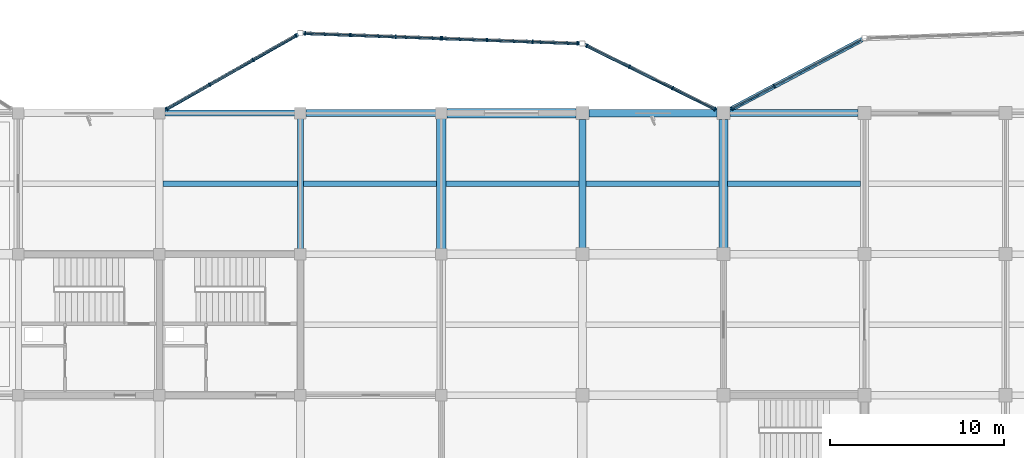
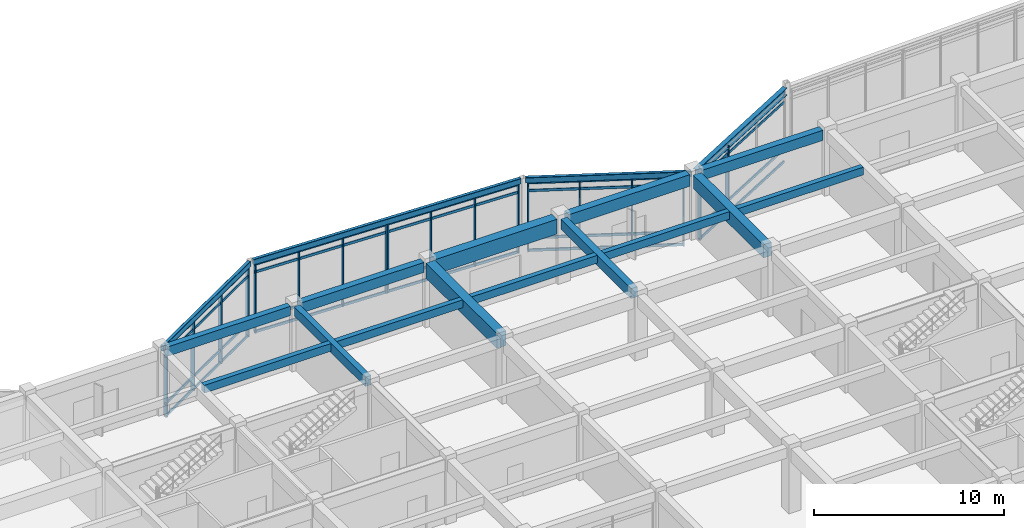
# One storey, part 47 of 89: 37 members, 18 beams, 5 elements without a shape of their own.
"""IFC4 building model written with IfcOpenShell, lengths in metres."""

import ifcopenshell
import ifcopenshell.guid

model = None  # the IFC model being written
_history = None  # IfcOwnerHistory: only IFC2X3 demands one
_inside = {}  # id of a spatial element -> (the spatial element, [elements in it])
_under = {}  # id of a project, library or spatial element -> (it, [spatial elements below it])
_declared = {}  # id of a project -> (the project, [libraries it declares])
_typed = {}  # id of a type object -> (the type object, [elements of that type])
_made_of = {}  # id of a material, layer set ... -> (it, [elements and type objects made of it])


def new_model(schema):
    """Start an empty IFC model of exactly this schema.

    Asked for "IFC4X3", IfcOpenShell would pick the latest addendum, in which some entities
    have other attributes; the version numbers below select the first issue.
    IFC2X3 requires an IfcOwnerHistory on every rooted entity: one is made here for all.
    """
    global model, _history
    if schema == "IFC4X3":
        model = ifcopenshell.file(schema_version=(4, 3, 0, 0))
    else:
        model = ifcopenshell.file(schema=schema)
    _inside.clear()
    _under.clear()
    _declared.clear()
    _typed.clear()
    _made_of.clear()
    _history = None
    if model.schema == "IFC2X3":
        org = make("IfcOrganization", Name="unknown")
        user = make(
            "IfcPersonAndOrganization",
            ThePerson=make("IfcPerson", FamilyName="unknown"),
            TheOrganization=org,
        )
        app = make(
            "IfcApplication",
            ApplicationDeveloper=org,
            Version="unknown",
            ApplicationFullName="unknown",
            ApplicationIdentifier="unknown",
        )
        _history = make(
            "IfcOwnerHistory",
            OwningUser=user,
            OwningApplication=app,
            ChangeAction="ADDED",
            CreationDate=0,
        )
    return model


def make(cls, **values):
    """One entity of the class cls with the attributes given. An attribute that is None is left unset."""
    return model.create_entity(
        cls, **{name: value for name, value in values.items() if value is not None}
    )


def rooted(cls, **values):
    """An entity with a GlobalId (a new one), such as an element, a storey or a relation."""
    return make(cls, GlobalId=ifcopenshell.guid.new(), OwnerHistory=_history, **values)


def si_unit(unit_type, name, prefix=None):
    """IfcSIUnit, for example si_unit("LENGTHUNIT", "METRE", prefix="MILLI")."""
    return make("IfcSIUnit", UnitType=unit_type, Prefix=prefix, Name=name)


def assignment(units):
    """IfcUnitAssignment: the units of a project."""
    return None if units is None else make("IfcUnitAssignment", Units=units)


def point(xyz):
    """IfcCartesianPoint."""
    return None if xyz is None else make("IfcCartesianPoint", Coordinates=xyz)


def direction(xyz):
    """IfcDirection."""
    return None if xyz is None else make("IfcDirection", DirectionRatios=xyz)


def frame(location, z_axis=None, x_axis=None):
    """IfcAxis2Placement3D, a coordinate frame: its origin and axes. An axis left out is left unset."""
    return make(
        "IfcAxis2Placement3D",
        Location=point(location),
        Axis=direction(z_axis),
        RefDirection=direction(x_axis),
    )


def frame_2d(location, x_axis=None):
    """IfcAxis2Placement2D, a coordinate frame in the plane: its origin and x axis."""
    return make(
        "IfcAxis2Placement2D", Location=point(location), RefDirection=direction(x_axis)
    )


def origin():
    """The frame at (0, 0, 0) with its axes left unset."""
    return frame((0.0, 0.0, 0.0))


def origin_2d():
    """The frame at (0, 0) in the plane with its x axis left unset."""
    return frame_2d((0.0, 0.0))


def place(relative_to, where):
    """IfcLocalPlacement: puts the frame where relative to a parent placement (None: the world)."""
    return make(
        "IfcLocalPlacement", PlacementRelTo=relative_to, RelativePlacement=where
    )


def context(
    kind, dimensions, precision=None, world=None, true_north=None, identifier=None
):
    """IfcGeometricRepresentationContext, for example the 3D "Model" context."""
    return make(
        "IfcGeometricRepresentationContext",
        ContextIdentifier=identifier,
        ContextType=kind,
        CoordinateSpaceDimension=dimensions,
        Precision=precision,
        WorldCoordinateSystem=world,
        TrueNorth=true_north,
    )


def subcontext(parent, identifier, kind, view, scale=None):
    """IfcGeometricRepresentationSubContext, for example "Body" below "Model"."""
    return make(
        "IfcGeometricRepresentationSubContext",
        ContextIdentifier=identifier,
        ContextType=kind,
        ParentContext=parent,
        TargetScale=scale,
        TargetView=view,
    )


def project(units=None, contexts=None):
    """IfcProject with its units and contexts."""
    return rooted(
        "IfcProject",
        Name="project",
        RepresentationContexts=contexts,
        UnitsInContext=assignment(units),
    )


def spatial(cls, under=None, at=None, **own):
    """A site, building, storey or space (cls), placed at a placement, below another one or the project."""
    s = rooted(cls, ObjectPlacement=at, **own)
    if under is not None:
        _under.setdefault(under.id(), (under, []))[1].append(s)
    return s


def profile(cls, at=None, kind="AREA", **sizes):
    """A parametric profile (cls). Its sizes go by their IFC names, for example OverallWidth=200.0."""
    return make(cls, ProfileType=kind, Position=at, **sizes)


def rectangle(**sizes):
    """IfcRectangleProfileDef."""
    return profile("IfcRectangleProfileDef", **sizes)


def hollow_rectangle(**sizes):
    """IfcRectangleHollowProfileDef."""
    return profile("IfcRectangleHollowProfileDef", **sizes)


def i_section(**sizes):
    """IfcIShapeProfileDef."""
    return profile("IfcIShapeProfileDef", **sizes)


def extrude(swept, where, along, depth):
    """IfcExtrudedAreaSolid: the profile swept, set in the frame where, extruded along a direction by depth."""
    return make(
        "IfcExtrudedAreaSolid",
        SweptArea=swept,
        Position=where,
        ExtrudedDirection=direction(along),
        Depth=depth,
    )


def shape(context_of_items, identifier, shape_type, items):
    """IfcShapeRepresentation: the items that make up one representation, for example the "Body"."""
    return make(
        "IfcShapeRepresentation",
        ContextOfItems=context_of_items,
        RepresentationIdentifier=identifier,
        RepresentationType=shape_type,
        Items=items,
    )


def material(Name=None, Category=None):
    """IfcMaterial."""
    return make("IfcMaterial", Name=Name, Category=Category)


def layer(
    of_material, thickness, ventilated=None, Name=None, Category=None, Priority=None
):
    """IfcMaterialLayer: one layer of a wall or slab, of a material (None: an air gap)."""
    return make(
        "IfcMaterialLayer",
        Material=of_material,
        LayerThickness=thickness,
        IsVentilated=ventilated,
        Name=Name,
        Category=Category,
        Priority=Priority,
    )


def layer_set(layers, Name=None):
    """IfcMaterialLayerSet."""
    return make("IfcMaterialLayerSet", MaterialLayers=layers, LayerSetName=Name)


def material_profile(
    of_material, cross_section, Name=None, Category=None, Priority=None
):
    """IfcMaterialProfile: a cross section and its material."""
    return make(
        "IfcMaterialProfile",
        Name=Name,
        Material=of_material,
        Profile=cross_section,
        Priority=Priority,
        Category=Category,
    )


def profile_set(profiles, Name=None, composite=None):
    """IfcMaterialProfileSet."""
    return make(
        "IfcMaterialProfileSet",
        Name=Name,
        MaterialProfiles=profiles,
        CompositeProfile=composite,
    )


def made_of(thing, what):
    """Note that an element or type object is made of a material, layer set ...; save() writes the relation."""
    if what is not None:
        _made_of.setdefault(what.id(), (what, []))[1].append(thing)
    return thing


def type_object(cls, material=None, **own):
    """A type object (cls), such as IfcWallType, which elements share."""
    return made_of(rooted(cls, **own), material)


def element(
    cls,
    number,
    at=None,
    inside=None,
    cuts=None,
    type_object=None,
    material=None,
    context=None,
    identifier="Body",
    shape_type=None,
    held_by="IfcProductDefinitionShape",
    body=None,
    shapes=None,
    **own,
):
    """One element of the class cls, such as IfcWall. Its Tag is "e" and its number.

    at: its placement. inside: the storey or other place that contains it. cuts: it is an
    opening in that element (IfcRelVoidsElement). A single representation is given by context,
    identifier, shape_type and body (its items); several are given by shapes. held_by: the class
    of the entity that holds the representations. save() writes the other relations.
    """
    e = rooted(cls, Tag="e%d" % number, ObjectPlacement=at, **own)
    if body is not None:
        shapes = [shape(context, identifier, shape_type, body)]
    if shapes is not None:
        e.Representation = make(held_by, Representations=shapes)
    if inside is not None:
        _inside.setdefault(inside.id(), (inside, []))[1].append(e)
    if cuts is not None:
        rooted(
            "IfcRelVoidsElement", RelatingBuildingElement=cuts, RelatedOpeningElement=e
        )
    if type_object is not None:
        _typed.setdefault(type_object.id(), (type_object, []))[1].append(e)
    return made_of(e, material)


def aggregate(whole, parts):
    """IfcRelAggregates: a whole, such as a stair, and the parts it consists of."""
    return rooted("IfcRelAggregates", RelatingObject=whole, RelatedObjects=parts)


def save(model, path):
    """Write the relations noted so far, then the file.

    IfcRelAggregates (storeys below a building ...), IfcRelContainedInSpatialStructure (elements
    in a storey), IfcRelDefinesByType, IfcRelAssociatesMaterial and IfcRelDeclares: one each for
    every whole, place, type object, material and project.
    """
    for whole, parts in _under.values():
        aggregate(whole, parts)
    for where, things in _inside.values():
        rooted(
            "IfcRelContainedInSpatialStructure",
            RelatedElements=things,
            RelatingStructure=where,
        )
    for kind, things in _typed.values():
        rooted("IfcRelDefinesByType", RelatedObjects=things, RelatingType=kind)
    for what, things in _made_of.values():
        rooted("IfcRelAssociatesMaterial", RelatedObjects=things, RelatingMaterial=what)
    for by, libraries in _declared.values():
        rooted("IfcRelDeclares", RelatingContext=by, RelatedDefinitions=libraries)
    model.write(path)


model = new_model("IFC4")

# Units and contexts
model_context = context("Model", 3, precision=1e-05, world=origin(), true_north=direction((0.0, 1.0)))
body_context = subcontext(model_context, "Body", "Model", "MODEL_VIEW")
ifc_project = project(units=[si_unit("LENGTHUNIT", "METRE"), si_unit("AREAUNIT", "SQUARE_METRE"), si_unit("VOLUMEUNIT", "CUBIC_METRE"), si_unit("PLANEANGLEUNIT", "RADIAN"), si_unit("MASSUNIT", "GRAM", prefix="KILO")], contexts=[model_context])

# Site, building, storey
site_placement = place(None, origin())
site = spatial("IfcSite", under=ifc_project, at=site_placement, CompositionType="ELEMENT")
building_placement = place(site_placement, origin())
building = spatial("IfcBuilding", under=site, at=building_placement, Name="Vaudrelin Polytechnic", CompositionType="ELEMENT")
storey_placement = place(building_placement, frame((0.0, 0.0, 9.68994140625)))
storey = spatial("IfcBuildingStorey", under=building, at=storey_placement, Name="L02", CompositionType="ELEMENT", Elevation=9.68994140625)

# Beams
ifc_material_1 = material(Name="Concrete 40 MPa", Category="concrete")
ifc_material_profile_1 = material_profile(ifc_material_1, rectangle(XDim=0.35009765625, YDim=0.60009765625, at=origin_2d()), Name="RC350x600")
ifc_profile_set_1 = profile_set([ifc_material_profile_1], Name="Concrete 40 MPa")
beam_type_1 = type_object("IfcBeamType", Name="BM-BM-RC3560", PredefinedType="BEAM", material=ifc_profile_set_1)
beam_1_placement = place(storey_placement, frame((121.5, 113.7099609375, 3.840087890625), z_axis=(0.0, 1.0, 0.0), x_axis=(-1.0, 0.0, 0.0)))
element("IfcBeam", 1, at=beam_1_placement, inside=storey, type_object=beam_type_1, Name="L02 Y-beam 16-15", PredefinedType="BEAM", context=body_context, shape_type="SweptSolid", body=[
    extrude(rectangle(XDim=0.35009765625, YDim=0.60009765625, at=origin_2d()), origin(), (0.0, 0.0, 1.0), 7.47998046875),
])
beam_2_placement = place(storey_placement, frame((113.720947265625, 121.5, 3.840087890625), z_axis=(1.0, 0.0, 0.0), x_axis=(0.0, 1.0, 0.0)))
element("IfcBeam", 2, at=beam_2_placement, inside=storey, type_object=beam_type_1, Name="L02 X-beam 15-16", PredefinedType="BEAM", context=body_context, shape_type="SweptSolid", body=[
    extrude(rectangle(XDim=0.35009765625, YDim=0.60009765625, at=origin_2d()), origin(), (0.0, 0.0, 1.0), 7.4580078125),
])
ifc_material_profile_2 = material_profile(ifc_material_1, rectangle(XDim=0.39990234375, YDim=0.64990234375, at=origin_2d()), Name="RC400x650")
ifc_profile_set_2 = profile_set([ifc_material_profile_2], Name="Concrete 40 MPa")
beam_type_2 = type_object("IfcBeamType", Name="BM-BM-RC4065", PredefinedType="BEAM", material=ifc_profile_set_2)
beam_3_placement = place(storey_placement, frame((137.699951171875, 113.760009765625, 3.81494140625), z_axis=(0.0, 1.0, 0.0), x_axis=(-1.0, 0.0, 0.0)))
element("IfcBeam", 3, at=beam_3_placement, inside=storey, type_object=beam_type_2, Name="L02 Y-beam 18-15", PredefinedType="BEAM", context=body_context, shape_type="SweptSolid", body=[
    extrude(rectangle(XDim=0.39990234375, YDim=0.64990234375, at=origin_2d()), origin(), (0.0, 0.0, 1.0), 7.3798828125),
])
ifc_material_profile_3 = material_profile(ifc_material_1, rectangle(XDim=0.449951171875, YDim=0.75, at=origin_2d()), Name="RC450x750")
ifc_profile_set_3 = profile_set([ifc_material_profile_3], Name="Concrete 40 MPa")
beam_type_3 = type_object("IfcBeamType", Name="BM-BM-RC4575", PredefinedType="BEAM", material=ifc_profile_set_3)
beam_4_placement = place(storey_placement, frame((138.071044921875, 121.5, 3.76513671875), z_axis=(1.0, 0.0, 0.0), x_axis=(0.0, 1.0, 0.0)))
element("IfcBeam", 4, at=beam_4_placement, inside=storey, type_object=beam_type_3, Name="L02 X-beam 18-16", PredefinedType="BEAM", context=body_context, shape_type="SweptSolid", body=[
    extrude(rectangle(XDim=0.449951171875, YDim=0.75, at=origin_2d()), origin(), (0.0, 0.0, 1.0), 7.35791015625),
])
ifc_material_profile_4 = material_profile(ifc_material_1, rectangle(XDim=0.5, YDim=0.85009765625, at=origin_2d()), Name="RC500x850")
ifc_profile_set_4 = profile_set([ifc_material_profile_4], Name="Concrete 40 MPa")
beam_type_4 = type_object("IfcBeamType", Name="BM-BM-RC5085", PredefinedType="BEAM", material=ifc_profile_set_4)
beam_5_placement = place(storey_placement, frame((145.800048828125, 113.760009765625, 3.715087890625), z_axis=(0.0, 1.0, 0.0), x_axis=(-1.0, 0.0, 0.0)))
element("IfcBeam", 5, at=beam_5_placement, inside=storey, type_object=beam_type_4, Name="L02 Y-beam 19-15", PredefinedType="BEAM", context=body_context, shape_type="SweptSolid", body=[
    extrude(rectangle(XDim=0.5, YDim=0.85009765625, at=origin_2d()), origin(), (0.0, 0.0, 1.0), 7.3798828125),
])
ifc_material_2 = material(Name="Concrete 50 MPa", Category="concrete")
ifc_material_profile_5 = material_profile(ifc_material_2, rectangle(XDim=0.550048828125, YDim=0.949951171875, at=origin_2d()), Name="RC550x950")
ifc_profile_set_5 = profile_set([ifc_material_profile_5], Name="Concrete 50 MPa")
beam_type_5 = type_object("IfcBeamType", Name="BM-BM-RC5595", PredefinedType="BEAM", material=ifc_profile_set_5)
beam_6_placement = place(storey_placement, frame((129.60009765625, 113.7099609375, 3.6650390625), z_axis=(0.0, 1.0, 0.0), x_axis=(-1.0, 0.0, 0.0)))
element("IfcBeam", 6, at=beam_6_placement, inside=storey, type_object=beam_type_5, Name="L02 Y-beam 17-15", PredefinedType="BEAM", context=body_context, shape_type="SweptSolid", body=[
    extrude(rectangle(XDim=0.550048828125, YDim=0.949951171875, at=origin_2d()), origin(), (0.0, 0.0, 1.0), 7.47998046875),
])
beam_7_placement = place(storey_placement, frame((129.9208984375, 121.5, 3.6650390625), z_axis=(1.0, 0.0, 0.0), x_axis=(0.0, 1.0, 0.0)))
element("IfcBeam", 7, at=beam_7_placement, inside=storey, type_object=beam_type_5, Name="L02 X-beam 17-16", PredefinedType="BEAM", context=body_context, shape_type="SweptSolid", body=[
    extrude(rectangle(XDim=0.550048828125, YDim=0.949951171875, at=origin_2d()), origin(), (0.0, 0.0, 1.0), 7.408203125),
])
ifc_material_3 = material(Name="Steel CSA G40.21 350W", Category="steel")
ifc_material_profile_6 = material_profile(ifc_material_3, i_section(OverallWidth=0.280029296875, OverallDepth=0.462890625, WebThickness=0.0107421875, FlangeThickness=0.017333984375, FilletRadius=0.01806640625, at=origin_2d()), Name="W460x113")
ifc_profile_set_6 = profile_set([ifc_material_profile_6], Name="Steel CSA G40.21 350W")
beam_type_6 = type_object("IfcBeamType", Name="BM-BM-W460H", PredefinedType="BEAM", material=ifc_profile_set_6)
beam_8_placement = place(storey_placement, frame((145.923583984375, 121.565673828125, 3.908447265625), z_axis=(0.883259671752, 0.468884156542, 0.0), x_axis=(-0.468884156542, 0.883259671752, 0.0)))
element("IfcBeam", 8, at=beam_8_placement, inside=storey, type_object=beam_type_6, Name="Sculptural edge beam L02 NE_BM_1", PredefinedType="BEAM", context=body_context, shape_type="SweptSolid", body=[
    extrude(i_section(OverallWidth=0.280029296875, OverallDepth=0.462890625, WebThickness=0.0107421875, FlangeThickness=0.017333984375, FilletRadius=0.01806640625, at=origin_2d()), origin(), (0.0, 0.0, 1.0), 8.890625),
])
ifc_material_profile_7 = material_profile(ifc_material_1, rectangle(XDim=0.300048828125, YDim=0.5, at=origin_2d()), Name="RC300x500")
ifc_profile_set_7 = profile_set([ifc_material_profile_7], Name="Concrete 40 MPa")
beam_type_7 = type_object("IfcBeamType", Name="BM-JS-RC3050", PredefinedType="JOIST", material=ifc_profile_set_7)
beam_9_placement = place(storey_placement, frame((113.62109375, 117.449951171875, 3.89013671875), z_axis=(1.0, 0.0, 0.0), x_axis=(0.0, 1.0, 0.0)))
element("IfcBeam", 9, at=beam_9_placement, inside=storey, type_object=beam_type_7, Name="L02 floor joist 15-15", PredefinedType="JOIST", context=body_context, shape_type="SweptSolid", body=[
    extrude(rectangle(XDim=0.300048828125, YDim=0.5, at=origin_2d()), origin(), (0.0, 0.0, 1.0), 7.7080078125),
])
beam_10_placement = place(storey_placement, frame((121.6708984375, 117.449951171875, 3.89013671875), z_axis=(1.0, 0.0, 0.0), x_axis=(0.0, 1.0, 0.0)))
element("IfcBeam", 10, at=beam_10_placement, inside=storey, type_object=beam_type_7, Name="L02 floor joist 16-15", PredefinedType="JOIST", context=body_context, shape_type="SweptSolid", body=[
    extrude(rectangle(XDim=0.300048828125, YDim=0.5, at=origin_2d()), origin(), (0.0, 0.0, 1.0), 7.658203125),
])
beam_11_placement = place(storey_placement, frame((129.87109375, 117.449951171875, 3.89013671875), z_axis=(1.0, 0.0, 0.0), x_axis=(0.0, 1.0, 0.0)))
element("IfcBeam", 11, at=beam_11_placement, inside=storey, type_object=beam_type_7, Name="L02 floor joist 17-15", PredefinedType="JOIST", context=body_context, shape_type="SweptSolid", body=[
    extrude(rectangle(XDim=0.300048828125, YDim=0.5, at=origin_2d()), origin(), (0.0, 0.0, 1.0), 7.6328125),
])
beam_12_placement = place(storey_placement, frame((137.89599609375, 117.449951171875, 3.89013671875), z_axis=(1.0, 0.0, 0.0), x_axis=(0.0, 1.0, 0.0)))
element("IfcBeam", 12, at=beam_12_placement, inside=storey, type_object=beam_type_7, Name="L02 floor joist 18-15", PredefinedType="JOIST", context=body_context, shape_type="SweptSolid", body=[
    extrude(rectangle(XDim=0.300048828125, YDim=0.5, at=origin_2d()), origin(), (0.0, 0.0, 1.0), 7.657958984375),
])
beam_13_placement = place(storey_placement, frame((146.0458984375, 117.449951171875, 3.89013671875), z_axis=(1.0, 0.0, 0.0), x_axis=(0.0, 1.0, 0.0)))
element("IfcBeam", 13, at=beam_13_placement, inside=storey, type_object=beam_type_7, Name="L02 floor joist 19-15", PredefinedType="JOIST", context=body_context, shape_type="SweptSolid", body=[
    extrude(rectangle(XDim=0.300048828125, YDim=0.5, at=origin_2d()), origin(), (0.0, 0.0, 1.0), 7.633056640625),
])
ifc_material_4 = material(Name="Steel CSA G40.21 350WT", Category="steel")
ifc_material_profile_8 = material_profile(ifc_material_4, hollow_rectangle(XDim=0.202880859375, YDim=0.35595703125, WallThickness=0.0126953125, InnerFilletRadius=0.0126953125, OuterFilletRadius=0.025390625, at=origin_2d()), Name="HSS356x203x12.7")
ifc_profile_set_8 = profile_set([ifc_material_profile_8], Name="Steel CSA G40.21 350WT")
beam_type_8 = type_object("IfcBeamType", Name="BM-SP-HSS35", PredefinedType="SPANDREL", material=ifc_profile_set_8)
beam_14_placement = place(storey_placement, frame((113.521728515625, 121.569091796875, 3.962158203125), z_axis=(0.869557036598, 0.493832522322, 0.0), x_axis=(-0.493832522322, 0.869557036598, 0.0)))
element("IfcBeam", 14, at=beam_14_placement, inside=storey, type_object=beam_type_8, Name="Sculptural edge beam L02 N_OR3_B1", PredefinedType="SPANDREL", context=body_context, shape_type="SweptSolid", body=[
    extrude(hollow_rectangle(XDim=0.202880859375, YDim=0.35595703125, WallThickness=0.0126953125, InnerFilletRadius=0.0126953125, OuterFilletRadius=0.025390625, at=origin_2d()), origin(), (0.0, 0.0, 1.0), 9.03515625),
])
beam_15_placement = place(storey_placement, frame((121.639892578125, 126.0947265625, 3.962158203125), z_axis=(0.999314917736, -0.037009393279, 0.0), x_axis=(0.037009393279, 0.999314917736, 0.0)))
element("IfcBeam", 15, at=beam_15_placement, inside=storey, type_object=beam_type_8, Name="Sculptural edge beam L02 N_OR3_B2", PredefinedType="SPANDREL", context=body_context, shape_type="SweptSolid", body=[
    extrude(hollow_rectangle(XDim=0.202880859375, YDim=0.35595703125, WallThickness=0.0126953125, InnerFilletRadius=0.0126953125, OuterFilletRadius=0.025390625, at=origin_2d()), origin(), (0.0, 0.0, 1.0), 15.93115234375),
])
beam_16_placement = place(storey_placement, frame((137.825439453125, 125.43798828125, 3.962158203125), z_axis=(0.896636147208, -0.44276813291, 0.0), x_axis=(0.44276813291, 0.896636147208, 0.0)))
element("IfcBeam", 16, at=beam_16_placement, inside=storey, type_object=beam_type_8, Name="Sculptural edge beam L02 N_OR3_B3", PredefinedType="SPANDREL", context=body_context, shape_type="SweptSolid", body=[
    extrude(hollow_rectangle(XDim=0.202880859375, YDim=0.35595703125, WallThickness=0.0126953125, InnerFilletRadius=0.0126953125, OuterFilletRadius=0.025390625, at=origin_2d()), origin(), (0.0, 0.0, 1.0), 8.75390625),
])
ifc_material_profile_9 = material_profile(ifc_material_1, rectangle(XDim=0.39990234375, YDim=0.64990234375, at=origin_2d()), Name="RC400x650")
ifc_profile_set_9 = profile_set([ifc_material_profile_9], Name="Concrete 40 MPa")
beam_type_9 = type_object("IfcBeamType", Name="BM-SP-RC4065", PredefinedType="SPANDREL", material=ifc_profile_set_9)
beam_17_placement = place(storey_placement, frame((121.821044921875, 121.5, 3.81494140625), z_axis=(1.0, 0.0, 0.0), x_axis=(0.0, 1.0, 0.0)))
element("IfcBeam", 17, at=beam_17_placement, inside=storey, type_object=beam_type_9, Name="L02 X-beam 16-16", PredefinedType="SPANDREL", context=body_context, shape_type="SweptSolid", body=[
    extrude(rectangle(XDim=0.39990234375, YDim=0.64990234375, at=origin_2d()), origin(), (0.0, 0.0, 1.0), 7.4580078125),
])
beam_18_placement = place(storey_placement, frame((146.1708984375, 121.5, 3.81494140625), z_axis=(1.0, 0.0, 0.0), x_axis=(0.0, 1.0, 0.0)))
element("IfcBeam", 18, at=beam_18_placement, inside=storey, type_object=beam_type_9, Name="L02 X-beam 19-16", PredefinedType="SPANDREL", context=body_context, shape_type="SweptSolid", body=[
    extrude(rectangle(XDim=0.39990234375, YDim=0.64990234375, at=origin_2d()), origin(), (0.0, 0.0, 1.0), 7.358154296875),
])

# Curtain wall, members
ifc_material_5 = material(Name="Thermally broken anodised aluminium AA 6063-T6 and low-e triple glazing", Category="aluminium")
ifc_layer_1 = layer(ifc_material_5, 0.199951171875)
ifc_layer_set_1 = layer_set([ifc_layer_1], Name="Thermally broken anodised aluminium AA 6063-T6 and low-e triple glazing")
curtain_wall_type_1 = type_object("IfcCurtainWallType", Name="CW-CW-LAB", PredefinedType="USERDEFINED", material=ifc_layer_set_1)
curtain_wall_1_placement = place(storey_placement, origin())
curtain_wall_1 = element("IfcCurtainWall", 19, at=curtain_wall_1_placement, inside=storey, type_object=curtain_wall_type_1, Name="Curtain wall L02 NEP_1_0", ObjectType="CURTAIN WALL", PredefinedType="USERDEFINED")
ifc_material_6 = material(Name="Anodised aluminium AA 6063-T6", Category="aluminium")
ifc_material_profile_10 = material_profile(ifc_material_6, rectangle(XDim=0.074951171875, YDim=0.219970703125, at=origin_2d()), Name="CWM-75x220")
ifc_profile_set_10 = profile_set([ifc_material_profile_10], Name="Anodised aluminium AA 6063-T6")
member_type_1 = type_object("IfcMemberType", Name="MEM-CWM-220", PredefinedType="MULLION", material=ifc_profile_set_10)
member_1_placement = place(storey_placement, frame((146.285400390625, 121.7578125, -0.6298828125), z_axis=(0.0, 0.0, 1.0), x_axis=(0.88325357809, 0.468895635288, 0.0)))
member_1 = element("IfcMember", 20, at=member_1_placement, type_object=member_type_1, Name="NEP_1_0 mullion 1", PredefinedType="MULLION", context=body_context, shape_type="SweptSolid", body=[
    extrude(rectangle(XDim=0.074951171875, YDim=0.219970703125, at=origin_2d()), origin(), (0.0, 0.0, 1.0), 4.43994140625),
])
member_2_placement = place(storey_placement, frame((148.72412109375, 123.05224609375, -0.6298828125), z_axis=(0.0, 0.0, 1.0), x_axis=(0.88325357809, 0.468895635288, 0.0)))
member_2 = element("IfcMember", 21, at=member_2_placement, type_object=member_type_1, Name="NEP_1_0 mullion 2", PredefinedType="MULLION", context=body_context, shape_type="SweptSolid", body=[
    extrude(rectangle(XDim=0.074951171875, YDim=0.219970703125, at=origin_2d()), origin(), (0.0, 0.0, 1.0), 4.43994140625),
])

ifc_layer_2 = layer(ifc_material_5, 0.199951171875)
ifc_layer_set_2 = layer_set([ifc_layer_2], Name="Thermally broken anodised aluminium AA 6063-T6 and low-e triple glazing")
curtain_wall_type_2 = type_object("IfcCurtainWallType", Name="CW-CW-STU", PredefinedType="USERDEFINED", material=ifc_layer_set_2)
curtain_wall_2_placement = place(storey_placement, origin())
curtain_wall_2 = element("IfcCurtainWall", 22, at=curtain_wall_2_placement, inside=storey, type_object=curtain_wall_type_2, Name="Curtain wall L02 N_OR3_1_0", ObjectType="CURTAIN WALL", PredefinedType="USERDEFINED")
member_3_placement = place(storey_placement, frame((113.833740234375, 121.746337890625, -0.6298828125), z_axis=(0.0, 0.0, 1.0), x_axis=(0.869560902345, 0.493825715322, 0.0)))
member_3 = element("IfcMember", 23, at=member_3_placement, type_object=member_type_1, Name="N_OR3_1_0 mullion 1", PredefinedType="MULLION", context=body_context, shape_type="SweptSolid", body=[
    extrude(rectangle(XDim=0.074951171875, YDim=0.219970703125, at=origin_2d()), origin(), (0.0, 0.0, 1.0), 4.43994140625),
])
member_4_placement = place(storey_placement, frame((116.29052734375, 123.1416015625, -0.6298828125), z_axis=(0.0, 0.0, 1.0), x_axis=(0.869560902345, 0.493825715322, 0.0)))
member_4 = element("IfcMember", 24, at=member_4_placement, type_object=member_type_1, Name="N_OR3_1_0 mullion 2", PredefinedType="MULLION", context=body_context, shape_type="SweptSolid", body=[
    extrude(rectangle(XDim=0.074951171875, YDim=0.219970703125, at=origin_2d()), origin(), (0.0, 0.0, 1.0), 4.43994140625),
])
member_5_placement = place(storey_placement, frame((118.781982421875, 124.556396484375, -0.6298828125), z_axis=(0.0, 0.0, 1.0), x_axis=(0.869560902345, 0.493825715322, 0.0)))
member_5 = element("IfcMember", 25, at=member_5_placement, type_object=member_type_1, Name="N_OR3_1_0 mullion 3", PredefinedType="MULLION", context=body_context, shape_type="SweptSolid", body=[
    extrude(rectangle(XDim=0.074951171875, YDim=0.219970703125, at=origin_2d()), origin(), (0.0, 0.0, 1.0), 4.43994140625),
])
member_6_placement = place(storey_placement, frame((121.23876953125, 125.95166015625, -0.6298828125), z_axis=(0.0, 0.0, 1.0), x_axis=(0.869560902345, 0.493825715322, 0.0)))
member_6 = element("IfcMember", 26, at=member_6_placement, type_object=member_type_1, Name="N_OR3_1_0 mullion 4", PredefinedType="MULLION", context=body_context, shape_type="SweptSolid", body=[
    extrude(rectangle(XDim=0.074951171875, YDim=0.219970703125, at=origin_2d()), origin(), (0.0, 0.0, 1.0), 4.43994140625),
])

curtain_wall_3_placement = place(storey_placement, origin())
curtain_wall_3 = element("IfcCurtainWall", 27, at=curtain_wall_3_placement, inside=storey, type_object=curtain_wall_type_2, Name="Curtain wall L02 N_OR3_2_0", ObjectType="CURTAIN WALL", PredefinedType="USERDEFINED")
member_7_placement = place(storey_placement, frame((121.77734375, 126.089599609375, -0.6298828125), z_axis=(0.0, 0.0, 1.0), x_axis=(0.999314868587, -0.037010720341, 0.0)))
member_7 = element("IfcMember", 28, at=member_7_placement, type_object=member_type_1, Name="N_OR3_2_0 mullion 1", PredefinedType="MULLION", context=body_context, shape_type="SweptSolid", body=[
    extrude(rectangle(XDim=0.074951171875, YDim=0.219970703125, at=origin_2d()), origin(), (0.0, 0.0, 1.0), 4.43994140625),
])
member_8_placement = place(storey_placement, frame((124.3583984375, 125.994140625, -0.6298828125), z_axis=(0.0, 0.0, 1.0), x_axis=(0.999314868587, -0.037010720341, 0.0)))
member_8 = element("IfcMember", 29, at=member_8_placement, type_object=member_type_1, Name="N_OR3_2_0 mullion 2", PredefinedType="MULLION", context=body_context, shape_type="SweptSolid", body=[
    extrude(rectangle(XDim=0.074951171875, YDim=0.219970703125, at=origin_2d()), origin(), (0.0, 0.0, 1.0), 4.43994140625),
])
member_9_placement = place(storey_placement, frame((126.97900390625, 125.897216796875, -0.6298828125), z_axis=(0.0, 0.0, 1.0), x_axis=(0.999314868587, -0.037010720341, 0.0)))
member_9 = element("IfcMember", 30, at=member_9_placement, type_object=member_type_1, Name="N_OR3_2_0 mullion 3", PredefinedType="MULLION", context=body_context, shape_type="SweptSolid", body=[
    extrude(rectangle(XDim=0.074951171875, YDim=0.219970703125, at=origin_2d()), origin(), (0.0, 0.0, 1.0), 4.43994140625),
])
member_10_placement = place(storey_placement, frame((129.56005859375, 125.801513671875, -0.6298828125), z_axis=(0.0, 0.0, 1.0), x_axis=(0.999314868587, -0.037010720341, 0.0)))
member_10 = element("IfcMember", 31, at=member_10_placement, type_object=member_type_1, Name="N_OR3_2_0 mullion 4", PredefinedType="MULLION", context=body_context, shape_type="SweptSolid", body=[
    extrude(rectangle(XDim=0.074951171875, YDim=0.219970703125, at=origin_2d()), origin(), (0.0, 0.0, 1.0), 4.43994140625),
])

curtain_wall_4_placement = place(storey_placement, origin())
curtain_wall_4 = element("IfcCurtainWall", 32, at=curtain_wall_4_placement, inside=storey, type_object=curtain_wall_type_2, Name="Curtain wall L02 N_OR3_2_1", ObjectType="CURTAIN WALL", PredefinedType="USERDEFINED")
member_11_placement = place(storey_placement, frame((129.639892578125, 125.798583984375, -0.6298828125), z_axis=(0.0, 0.0, 1.0), x_axis=(0.999314868587, -0.037010720341, 0.0)))
member_11 = element("IfcMember", 33, at=member_11_placement, type_object=member_type_1, Name="N_OR3_2_1 mullion 1", PredefinedType="MULLION", context=body_context, shape_type="SweptSolid", body=[
    extrude(rectangle(XDim=0.074951171875, YDim=0.219970703125, at=origin_2d()), origin(), (0.0, 0.0, 1.0), 4.43994140625),
])
member_12_placement = place(storey_placement, frame((132.220947265625, 125.702880859375, -0.6298828125), z_axis=(0.0, 0.0, 1.0), x_axis=(0.999314868587, -0.037010720341, 0.0)))
member_12 = element("IfcMember", 34, at=member_12_placement, type_object=member_type_1, Name="N_OR3_2_1 mullion 2", PredefinedType="MULLION", context=body_context, shape_type="SweptSolid", body=[
    extrude(rectangle(XDim=0.074951171875, YDim=0.219970703125, at=origin_2d()), origin(), (0.0, 0.0, 1.0), 4.43994140625),
])
member_13_placement = place(storey_placement, frame((134.841796875, 125.60595703125, -0.6298828125), z_axis=(0.0, 0.0, 1.0), x_axis=(0.999314868587, -0.037010720341, 0.0)))
member_13 = element("IfcMember", 35, at=member_13_placement, type_object=member_type_1, Name="N_OR3_2_1 mullion 3", PredefinedType="MULLION", context=body_context, shape_type="SweptSolid", body=[
    extrude(rectangle(XDim=0.074951171875, YDim=0.219970703125, at=origin_2d()), origin(), (0.0, 0.0, 1.0), 4.43994140625),
])
member_14_placement = place(storey_placement, frame((137.422607421875, 125.51025390625, -0.6298828125), z_axis=(0.0, 0.0, 1.0), x_axis=(0.999314868587, -0.037010720341, 0.0)))
member_14 = element("IfcMember", 36, at=member_14_placement, type_object=member_type_1, Name="N_OR3_2_1 mullion 4", PredefinedType="MULLION", context=body_context, shape_type="SweptSolid", body=[
    extrude(rectangle(XDim=0.074951171875, YDim=0.219970703125, at=origin_2d()), origin(), (0.0, 0.0, 1.0), 4.43994140625),
])

curtain_wall_5_placement = place(storey_placement, origin())
curtain_wall_5 = element("IfcCurtainWall", 37, at=curtain_wall_5_placement, inside=storey, type_object=curtain_wall_type_2, Name="Curtain wall L02 N_OR3_3_0", ObjectType="CURTAIN WALL", PredefinedType="USERDEFINED")
member_15_placement = place(storey_placement, frame((137.964599609375, 125.369384765625, -0.6298828125), z_axis=(0.0, 0.0, 1.0), x_axis=(0.896627585947, -0.442785469635, 0.0)))
member_15 = element("IfcMember", 38, at=member_15_placement, type_object=member_type_1, Name="N_OR3_3_0 mullion 1", PredefinedType="MULLION", context=body_context, shape_type="SweptSolid", body=[
    extrude(rectangle(XDim=0.074951171875, YDim=0.219970703125, at=origin_2d()), origin(), (0.0, 0.0, 1.0), 4.43994140625),
])
member_16_placement = place(storey_placement, frame((140.402099609375, 124.165771484375, -0.6298828125), z_axis=(0.0, 0.0, 1.0), x_axis=(0.896627585947, -0.442785469635, 0.0)))
member_16 = element("IfcMember", 39, at=member_16_placement, type_object=member_type_1, Name="N_OR3_3_0 mullion 2", PredefinedType="MULLION", context=body_context, shape_type="SweptSolid", body=[
    extrude(rectangle(XDim=0.074951171875, YDim=0.219970703125, at=origin_2d()), origin(), (0.0, 0.0, 1.0), 4.43994140625),
])
member_17_placement = place(storey_placement, frame((142.87548828125, 122.944091796875, -0.6298828125), z_axis=(0.0, 0.0, 1.0), x_axis=(0.896627585947, -0.442785469635, 0.0)))
member_17 = element("IfcMember", 40, at=member_17_placement, type_object=member_type_1, Name="N_OR3_3_0 mullion 3", PredefinedType="MULLION", context=body_context, shape_type="SweptSolid", body=[
    extrude(rectangle(XDim=0.074951171875, YDim=0.219970703125, at=origin_2d()), origin(), (0.0, 0.0, 1.0), 4.43994140625),
])
member_18_placement = place(storey_placement, frame((145.31298828125, 121.740478515625, -0.6298828125), z_axis=(0.0, 0.0, 1.0), x_axis=(0.896627585947, -0.442785469635, 0.0)))
member_18 = element("IfcMember", 41, at=member_18_placement, type_object=member_type_1, Name="N_OR3_3_0 mullion 4", PredefinedType="MULLION", context=body_context, shape_type="SweptSolid", body=[
    extrude(rectangle(XDim=0.074951171875, YDim=0.219970703125, at=origin_2d()), origin(), (0.0, 0.0, 1.0), 4.43994140625),
])

# Member
ifc_material_profile_11 = material_profile(ifc_material_6, rectangle(XDim=0.074951171875, YDim=0.1650390625, at=origin_2d()), Name="CWT-75x165")
ifc_profile_set_11 = profile_set([ifc_material_profile_11], Name="Anodised aluminium AA 6063-T6")
member_type_2 = type_object("IfcMemberType", Name="MEM-CWT-165", PredefinedType="USERDEFINED", material=ifc_profile_set_11)
member_19_placement = place(storey_placement, frame((146.25, 121.739013671875, -0.579833984375), z_axis=(0.883260874397, 0.468881891056, 0.0), x_axis=(-0.468881891056, 0.883260874397, 0.0)))
member_19 = element("IfcMember", 42, at=member_19_placement, type_object=member_type_2, Name="NEP_1_0 transom 1", ObjectType="TRANSOM", PredefinedType="USERDEFINED", context=body_context, shape_type="SweptSolid", body=[
    extrude(rectangle(XDim=0.074951171875, YDim=0.1650390625, at=origin_2d()), origin(), (0.0, 0.0, 1.0), 8.4033203125),
])

member_20_placement = place(storey_placement, frame((146.25, 121.739013671875, 0.219970703125), z_axis=(0.883260874397, 0.468881891056, 0.0), x_axis=(-0.468881891056, 0.883260874397, 0.0)))
member_20 = element("IfcMember", 43, at=member_20_placement, type_object=member_type_2, Name="NEP_1_0 transom 2", ObjectType="TRANSOM", PredefinedType="USERDEFINED", context=body_context, shape_type="SweptSolid", body=[
    extrude(rectangle(XDim=0.074951171875, YDim=0.1650390625, at=origin_2d()), origin(), (0.0, 0.0, 1.0), 8.4033203125),
])

member_21_placement = place(storey_placement, frame((146.25, 121.739013671875, 3.260009765625), z_axis=(0.883260874397, 0.468881891056, 0.0), x_axis=(-0.468881891056, 0.883260874397, 0.0)))
member_21 = element("IfcMember", 44, at=member_21_placement, type_object=member_type_2, Name="NEP_1_0 transom 3", ObjectType="TRANSOM", PredefinedType="USERDEFINED", context=body_context, shape_type="SweptSolid", body=[
    extrude(rectangle(XDim=0.074951171875, YDim=0.1650390625, at=origin_2d()), origin(), (0.0, 0.0, 1.0), 8.4033203125),
])

aggregate(curtain_wall_1, [member_1, member_2, member_19, member_20, member_21])

member_22_placement = place(storey_placement, frame((113.798828125, 121.7265625, -0.579833984375), z_axis=(0.869566603832, 0.493815675632, 0.0), x_axis=(-0.493815675632, 0.869566603832, 0.0)))
member_22 = element("IfcMember", 45, at=member_22_placement, type_object=member_type_2, Name="N_OR3_1_0 transom 1", ObjectType="TRANSOM", PredefinedType="USERDEFINED", context=body_context, shape_type="SweptSolid", body=[
    extrude(rectangle(XDim=0.074951171875, YDim=0.1650390625, at=origin_2d()), origin(), (0.0, 0.0, 1.0), 8.595947265625),
])

member_23_placement = place(storey_placement, frame((113.798828125, 121.7265625, 0.219970703125), z_axis=(0.869566603832, 0.493815675632, 0.0), x_axis=(-0.493815675632, 0.869566603832, 0.0)))
member_23 = element("IfcMember", 46, at=member_23_placement, type_object=member_type_2, Name="N_OR3_1_0 transom 2", ObjectType="TRANSOM", PredefinedType="USERDEFINED", context=body_context, shape_type="SweptSolid", body=[
    extrude(rectangle(XDim=0.074951171875, YDim=0.1650390625, at=origin_2d()), origin(), (0.0, 0.0, 1.0), 8.595947265625),
])

member_24_placement = place(storey_placement, frame((113.798828125, 121.7265625, 3.260009765625), z_axis=(0.869566603832, 0.493815675632, 0.0), x_axis=(-0.493815675632, 0.869566603832, 0.0)))
member_24 = element("IfcMember", 47, at=member_24_placement, type_object=member_type_2, Name="N_OR3_1_0 transom 3", ObjectType="TRANSOM", PredefinedType="USERDEFINED", context=body_context, shape_type="SweptSolid", body=[
    extrude(rectangle(XDim=0.074951171875, YDim=0.1650390625, at=origin_2d()), origin(), (0.0, 0.0, 1.0), 8.595947265625),
])

member_25_placement = place(storey_placement, frame((113.798828125, 121.7265625, 3.760009765625), z_axis=(0.869566603832, 0.493815675632, 0.0), x_axis=(-0.493815675632, 0.869566603832, 0.0)))
member_25 = element("IfcMember", 48, at=member_25_placement, type_object=member_type_2, Name="N_OR3_1_0 transom 4", ObjectType="TRANSOM", PredefinedType="USERDEFINED", context=body_context, shape_type="SweptSolid", body=[
    extrude(rectangle(XDim=0.074951171875, YDim=0.1650390625, at=origin_2d()), origin(), (0.0, 0.0, 1.0), 8.595947265625),
])

aggregate(curtain_wall_2, [member_3, member_4, member_5, member_6, member_22, member_23, member_24, member_25])

member_26_placement = place(storey_placement, frame((121.7373046875, 126.09130859375, -0.579833984375), z_axis=(0.999314621224, -0.037017398718, 0.0), x_axis=(0.037017398718, 0.999314621224, 0.0)))
member_26 = element("IfcMember", 49, at=member_26_placement, type_object=member_type_2, Name="N_OR3_2_0 transom 1", ObjectType="TRANSOM", PredefinedType="USERDEFINED", context=body_context, shape_type="SweptSolid", body=[
    extrude(rectangle(XDim=0.074951171875, YDim=0.1650390625, at=origin_2d()), origin(), (0.0, 0.0, 1.0), 7.8681640625),
])

member_27_placement = place(storey_placement, frame((121.7373046875, 126.09130859375, 0.219970703125), z_axis=(0.999314621224, -0.037017398718, 0.0), x_axis=(0.037017398718, 0.999314621224, 0.0)))
member_27 = element("IfcMember", 50, at=member_27_placement, type_object=member_type_2, Name="N_OR3_2_0 transom 2", ObjectType="TRANSOM", PredefinedType="USERDEFINED", context=body_context, shape_type="SweptSolid", body=[
    extrude(rectangle(XDim=0.074951171875, YDim=0.1650390625, at=origin_2d()), origin(), (0.0, 0.0, 1.0), 7.8681640625),
])

member_28_placement = place(storey_placement, frame((121.7373046875, 126.09130859375, 3.260009765625), z_axis=(0.999314621224, -0.037017398718, 0.0), x_axis=(0.037017398718, 0.999314621224, 0.0)))
member_28 = element("IfcMember", 51, at=member_28_placement, type_object=member_type_2, Name="N_OR3_2_0 transom 3", ObjectType="TRANSOM", PredefinedType="USERDEFINED", context=body_context, shape_type="SweptSolid", body=[
    extrude(rectangle(XDim=0.074951171875, YDim=0.1650390625, at=origin_2d()), origin(), (0.0, 0.0, 1.0), 7.8681640625),
])

member_29_placement = place(storey_placement, frame((121.7373046875, 126.09130859375, 3.760009765625), z_axis=(0.999314621224, -0.037017398718, 0.0), x_axis=(0.037017398718, 0.999314621224, 0.0)))
member_29 = element("IfcMember", 52, at=member_29_placement, type_object=member_type_2, Name="N_OR3_2_0 transom 4", ObjectType="TRANSOM", PredefinedType="USERDEFINED", context=body_context, shape_type="SweptSolid", body=[
    extrude(rectangle(XDim=0.074951171875, YDim=0.1650390625, at=origin_2d()), origin(), (0.0, 0.0, 1.0), 7.8681640625),
])

aggregate(curtain_wall_3, [member_7, member_8, member_9, member_10, member_26, member_27, member_28, member_29])

member_30_placement = place(storey_placement, frame((129.60009765625, 125.800048828125, -0.579833984375), z_axis=(0.999314578704, -0.037018546573, 0.0), x_axis=(0.037018546573, 0.999314578704, 0.0)))
member_30 = element("IfcMember", 53, at=member_30_placement, type_object=member_type_2, Name="N_OR3_2_1 transom 1", ObjectType="TRANSOM", PredefinedType="USERDEFINED", context=body_context, shape_type="SweptSolid", body=[
    extrude(rectangle(XDim=0.074951171875, YDim=0.1650390625, at=origin_2d()), origin(), (0.0, 0.0, 1.0), 7.867919921875),
])

member_31_placement = place(storey_placement, frame((129.60009765625, 125.800048828125, 0.219970703125), z_axis=(0.999314578704, -0.037018546573, 0.0), x_axis=(0.037018546573, 0.999314578704, 0.0)))
member_31 = element("IfcMember", 54, at=member_31_placement, type_object=member_type_2, Name="N_OR3_2_1 transom 2", ObjectType="TRANSOM", PredefinedType="USERDEFINED", context=body_context, shape_type="SweptSolid", body=[
    extrude(rectangle(XDim=0.074951171875, YDim=0.1650390625, at=origin_2d()), origin(), (0.0, 0.0, 1.0), 7.867919921875),
])

member_32_placement = place(storey_placement, frame((129.60009765625, 125.800048828125, 3.260009765625), z_axis=(0.999314578704, -0.037018546573, 0.0), x_axis=(0.037018546573, 0.999314578704, 0.0)))
member_32 = element("IfcMember", 55, at=member_32_placement, type_object=member_type_2, Name="N_OR3_2_1 transom 3", ObjectType="TRANSOM", PredefinedType="USERDEFINED", context=body_context, shape_type="SweptSolid", body=[
    extrude(rectangle(XDim=0.074951171875, YDim=0.1650390625, at=origin_2d()), origin(), (0.0, 0.0, 1.0), 7.867919921875),
])

member_33_placement = place(storey_placement, frame((129.60009765625, 125.800048828125, 3.760009765625), z_axis=(0.999314578704, -0.037018546573, 0.0), x_axis=(0.037018546573, 0.999314578704, 0.0)))
member_33 = element("IfcMember", 56, at=member_33_placement, type_object=member_type_2, Name="N_OR3_2_1 transom 4", ObjectType="TRANSOM", PredefinedType="USERDEFINED", context=body_context, shape_type="SweptSolid", body=[
    extrude(rectangle(XDim=0.074951171875, YDim=0.1650390625, at=origin_2d()), origin(), (0.0, 0.0, 1.0), 7.867919921875),
])

aggregate(curtain_wall_4, [member_11, member_12, member_13, member_14, member_30, member_31, member_32, member_33])

member_34_placement = place(storey_placement, frame((137.9287109375, 125.38720703125, -0.579833984375), z_axis=(0.896628831354, -0.442782947712, 0.0), x_axis=(0.442782947712, 0.896628831354, 0.0)))
member_34 = element("IfcMember", 57, at=member_34_placement, type_object=member_type_2, Name="N_OR3_3_0 transom 1", ObjectType="TRANSOM", PredefinedType="USERDEFINED", context=body_context, shape_type="SweptSolid", body=[
    extrude(rectangle(XDim=0.074951171875, YDim=0.1650390625, at=origin_2d()), origin(), (0.0, 0.0, 1.0), 8.275634765625),
])

member_35_placement = place(storey_placement, frame((137.9287109375, 125.38720703125, 0.219970703125), z_axis=(0.896628831354, -0.442782947712, 0.0), x_axis=(0.442782947712, 0.896628831354, 0.0)))
member_35 = element("IfcMember", 58, at=member_35_placement, type_object=member_type_2, Name="N_OR3_3_0 transom 2", ObjectType="TRANSOM", PredefinedType="USERDEFINED", context=body_context, shape_type="SweptSolid", body=[
    extrude(rectangle(XDim=0.074951171875, YDim=0.1650390625, at=origin_2d()), origin(), (0.0, 0.0, 1.0), 8.275634765625),
])

member_36_placement = place(storey_placement, frame((137.9287109375, 125.38720703125, 3.260009765625), z_axis=(0.896628831354, -0.442782947712, 0.0), x_axis=(0.442782947712, 0.896628831354, 0.0)))
member_36 = element("IfcMember", 59, at=member_36_placement, type_object=member_type_2, Name="N_OR3_3_0 transom 3", ObjectType="TRANSOM", PredefinedType="USERDEFINED", context=body_context, shape_type="SweptSolid", body=[
    extrude(rectangle(XDim=0.074951171875, YDim=0.1650390625, at=origin_2d()), origin(), (0.0, 0.0, 1.0), 8.275634765625),
])

member_37_placement = place(storey_placement, frame((137.9287109375, 125.38720703125, 3.760009765625), z_axis=(0.896628831354, -0.442782947712, 0.0), x_axis=(0.442782947712, 0.896628831354, 0.0)))
member_37 = element("IfcMember", 60, at=member_37_placement, type_object=member_type_2, Name="N_OR3_3_0 transom 4", ObjectType="TRANSOM", PredefinedType="USERDEFINED", context=body_context, shape_type="SweptSolid", body=[
    extrude(rectangle(XDim=0.074951171875, YDim=0.1650390625, at=origin_2d()), origin(), (0.0, 0.0, 1.0), 8.275634765625),
])

aggregate(curtain_wall_5, [member_15, member_16, member_17, member_18, member_34, member_35, member_36, member_37])

save(model, "model.ifc")
